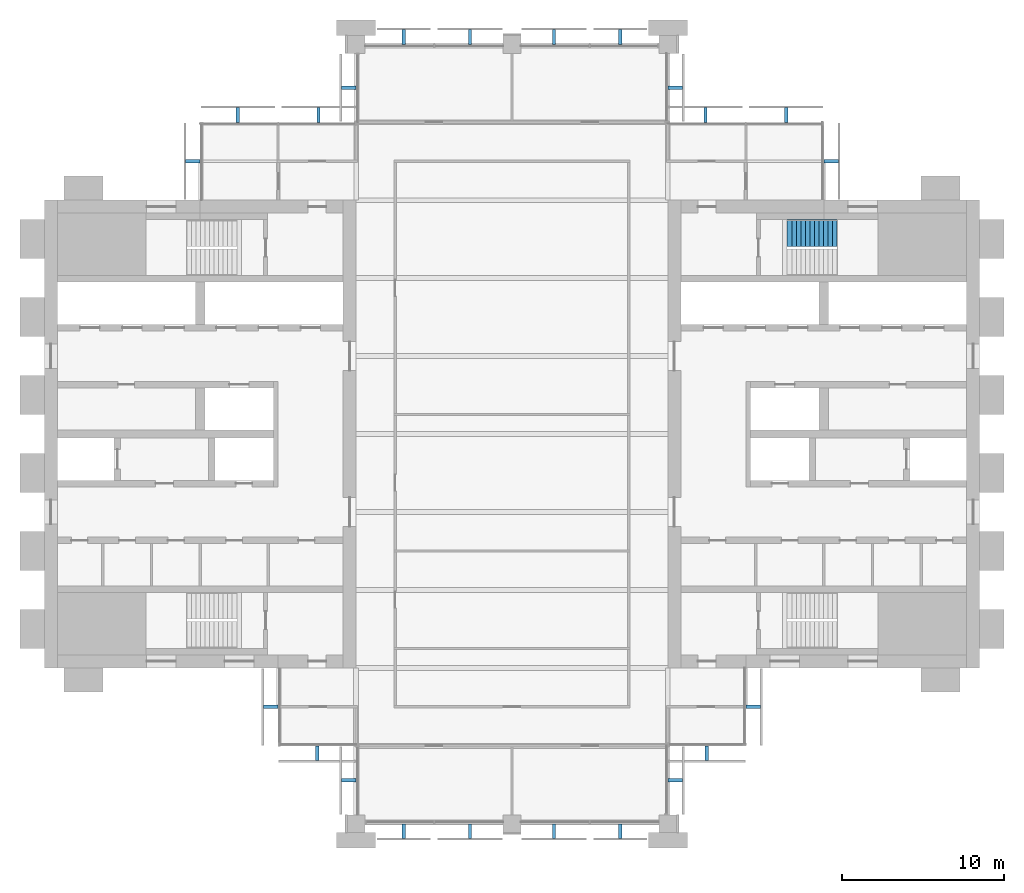
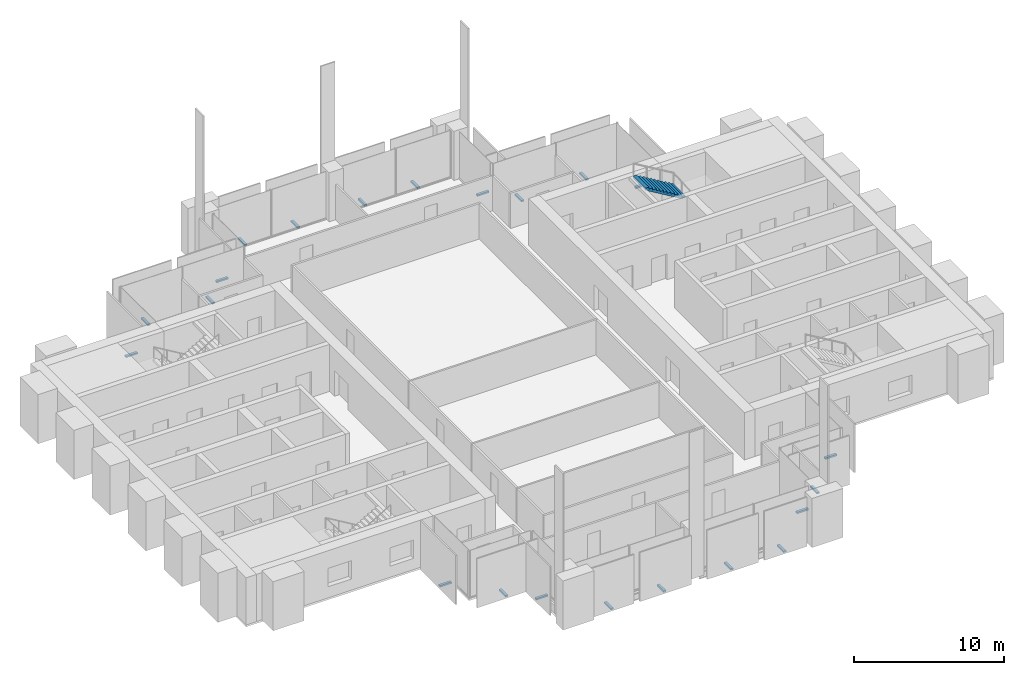
# One storey, part 12 of 13: 22 discrete accessories, 1 stair flight, 1 element without a shape of its own.
"""IFC4 building model written with IfcOpenShell, lengths in metres."""

from ifc_helpers import new_model, si_unit, direction, frame, origin, origin_2d, place, context, subcontext, project, spatial, polyline, rectangle, outline, extrude, material, type_object, element, aggregate, save


model = new_model("IFC4")

# Units and contexts
model_context = context("Model", 3, precision=1e-05, world=origin(), true_north=direction((0.0, 1.0)))
body_context = subcontext(model_context, "Body", "Model", "MODEL_VIEW")
ifc_project = project(units=[si_unit("LENGTHUNIT", "METRE"), si_unit("AREAUNIT", "SQUARE_METRE"), si_unit("VOLUMEUNIT", "CUBIC_METRE"), si_unit("PLANEANGLEUNIT", "RADIAN"), si_unit("MASSUNIT", "GRAM", prefix="KILO")], contexts=[model_context])

# Site, building, storey
site_placement = place(None, origin())
site = spatial("IfcSite", under=ifc_project, at=site_placement, CompositionType="ELEMENT")
building_placement = place(site_placement, origin())
building = spatial("IfcBuilding", under=site, at=building_placement, Name="Baori Bourse Tower", CompositionType="ELEMENT")
storey_placement = place(building_placement, frame((0.0, 0.0, 249.199951171875)))
storey = spatial("IfcBuildingStorey", under=building, at=storey_placement, Name="L55", CompositionType="ELEMENT", Elevation=249.199951171875)

# Stair, stair flight
ifc_material_1 = material(Name="Concrete f'c 50 MPa", Category="concrete")
stair_type = type_object("IfcStairType", Name="Core stair", PredefinedType="HALF_TURN_STAIR", material=ifc_material_1)
stair_placement = place(storey_placement, origin())
stair = element("IfcStair", 1, at=stair_placement, inside=storey, type_object=stair_type, Name="L55 Stair EB", PredefinedType="HALF_TURN_STAIR")
ifc_material_2 = material(Name="Concrete f'c 50 MPa", Category="concrete")
stair_flight_type = type_object("IfcStairFlightType", Name="Core stair flight", PredefinedType="STRAIGHT", material=ifc_material_2)
stair_flight_placement = place(storey_placement, frame((48.830078125, 36.375, 2.0), z_axis=(0.0, 0.0, 1.0), x_axis=(-1.0, 0.0, 0.0)))
stair_flight = element("IfcStairFlight", 2, at=stair_flight_placement, type_object=stair_flight_type, Name="ST4 flight 2", NumberOfRisers=12, NumberOfTreads=11, PredefinedType="STRAIGHT", RiserHeight=0.166666667, TreadLength=0.28, context=body_context, shape_type="SweptSolid", body=[
    extrude(outline(polyline([(0.0, 0.0), (0.0, 0.166748046875), (0.280029296875, 0.166748046875), (0.280029296875, 0.333251953125), (0.56005859375, 0.333251953125), (0.56005859375, 0.5), (0.840087890625, 0.5), (0.840087890625, 0.666748046875), (1.1201171875, 0.666748046875), (1.1201171875, 0.833251953125), (1.39990234375, 0.833251953125), (1.39990234375, 1.0), (1.679931640625, 1.0), (1.679931640625, 1.166748046875), (1.9599609375, 1.166748046875), (1.9599609375, 1.333251953125), (2.239990234375, 1.333251953125), (2.239990234375, 1.5), (2.52001953125, 1.5), (2.52001953125, 1.666748046875), (2.800048828125, 1.666748046875), (2.800048828125, 1.833251953125), (3.080078125, 1.833251953125), (3.080078125, 2.0), (3.080078125, 1.658935546875), (0.29296875, 0.0), (0.0, 0.0)])), frame((0.0, 0.824951171875, 0.0), z_axis=(0.0, -1.0, 0.0), x_axis=(1.0, 0.0, 0.0)), (0.0, 0.0, 1.0), 1.64990234375),
])
aggregate(stair, [stair_flight])

# Discrete accessories
ifc_material_3 = material(Name="Pale anodised aluminium", Category="aluminium")
discrete_accessory_type = type_object("IfcDiscreteAccessoryType", Name="OS2 Outer skin bracket", PredefinedType="BRACKET", material=ifc_material_3)
for number, where, z_axis, x_axis, name in (
    (3, (48.449951171875, 40.800048828125, -0.143798828125), (0.0, 0.0, 1.0), (0.0, 1.0, 0.0), "Outer skin bracket L55 1"),
    (4, (45.6875, 43.64990234375, -0.143798828125), (0.0, 0.0, 1.0), (-1.0, 0.0, 0.0), "Outer skin bracket L55 2"),
    (5, (40.71240234375, 43.64990234375, -0.143798828125), (0.0, 0.0, 1.0), (-1.0, 0.0, 0.0), "Outer skin bracket L55 3"),
    (6, (38.85009765625, 45.324951171875, -0.143798828125), (0.0, 0.0, 1.0), (0.0, 1.0, 0.0), "Outer skin bracket L55 4"),
    (7, (35.46240234375, 48.449951171875, -0.143798828125), (0.0, 0.0, 1.0), (-1.0, 0.0, 0.0), "Outer skin bracket L55 5"),
    (8, (31.387451171875, 48.449951171875, -0.143798828125), (0.0, 0.0, 1.0), (-1.0, 0.0, 0.0), "Outer skin bracket L55 6"),
    (9, (26.21240234375, 48.449951171875, -0.143798828125), (0.0, 0.0, 1.0), (-1.0, 0.0, 0.0), "Outer skin bracket L55 7"),
    (10, (22.137451171875, 48.449951171875, -0.143798828125), (0.0, 0.0, 1.0), (-1.0, 0.0, 0.0), "Outer skin bracket L55 8"),
    (11, (18.75, 45.324951171875, -0.143798828125), (0.0, 0.0, 1.0), (0.0, -1.0, 0.0), "Outer skin bracket L55 9"),
    (12, (16.887451171875, 43.64990234375, -0.143798828125), (0.0, 0.0, 1.0), (-1.0, 0.0, 0.0), "Outer skin bracket L55 10"),
    (13, (11.91259765625, 43.64990234375, -0.143798828125), (0.0, 0.0, 1.0), (-1.0, 0.0, 0.0), "Outer skin bracket L55 11"),
    (14, (9.14990234375, 40.800048828125, -0.143798828125), (0.0, 0.0, 1.0), (0.0, -1.0, 0.0), "Outer skin bracket L55 12"),
    (15, (13.949951171875, 7.199951171875, -0.143798828125), (0.0, 0.0, 1.0), (0.0, -1.0, 0.0), "Outer skin bracket L55 13"),
    (16, (16.800048828125, 4.35009765625, -0.143798828125), (0.0, 0.0, 1.0), (1.0, 0.0, 0.0), "Outer skin bracket L55 14"),
    (17, (18.75, 2.675048828125, -0.143798828125), (0.0, 0.0, 1.0), (0.0, -1.0, 0.0), "Outer skin bracket L55 15"),
    (18, (22.137451171875, -0.449951171875, -0.143798828125), (0.0, 0.0, 1.0), (1.0, 0.0, 0.0), "Outer skin bracket L55 16"),
    (19, (26.21240234375, -0.449951171875, -0.143798828125), (0.0, 0.0, 1.0), (1.0, 0.0, 0.0), "Outer skin bracket L55 17"),
    (20, (31.387451171875, -0.449951171875, -0.143798828125), (0.0, 0.0, 1.0), (1.0, 0.0, 0.0), "Outer skin bracket L55 18"),
    (21, (35.46240234375, -0.449951171875, -0.143798828125), (0.0, 0.0, 1.0), (1.0, 0.0, 0.0), "Outer skin bracket L55 19"),
    (22, (38.85009765625, 2.675048828125, -0.143798828125), (0.0, 0.0, 1.0), (0.0, 1.0, 0.0), "Outer skin bracket L55 20"),
    (23, (40.800048828125, 4.35009765625, -0.143798828125), (0.0, 0.0, 1.0), (1.0, 0.0, 0.0), "Outer skin bracket L55 21"),
    (24, (43.64990234375, 7.199951171875, -0.143798828125), (0.0, 0.0, 1.0), (0.0, 1.0, 0.0), "Outer skin bracket L55 22"),
):
    element("IfcDiscreteAccessory", number, at=place(storey_placement, frame(where, z_axis=z_axis, x_axis=x_axis)), inside=storey, type_object=discrete_accessory_type, Name=name, PredefinedType="BRACKET", context=body_context, shape_type="SweptSolid", body=[
        extrude(rectangle(XDim=0.199951171875, YDim=0.89990234375, at=origin_2d()), origin(), (0.0, 0.0, 1.0), 0.1279296875),
    ])

save(model, "model.ifc")
